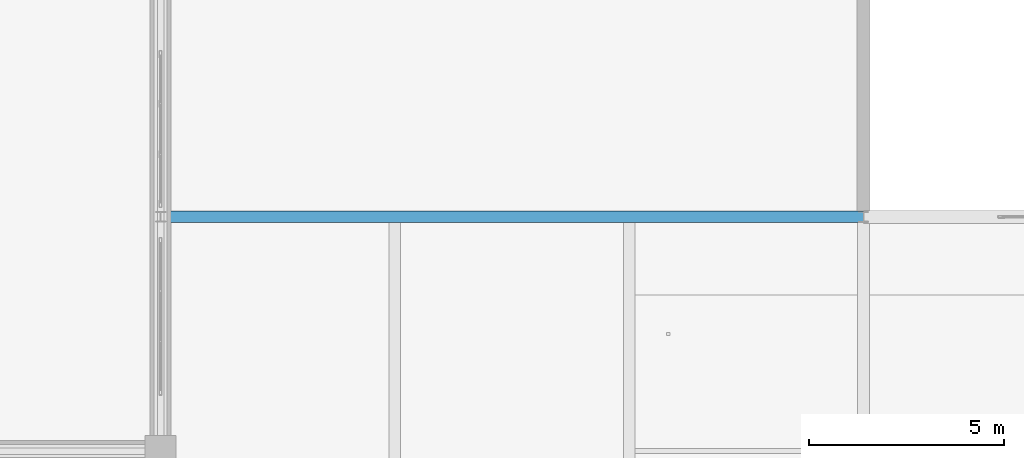
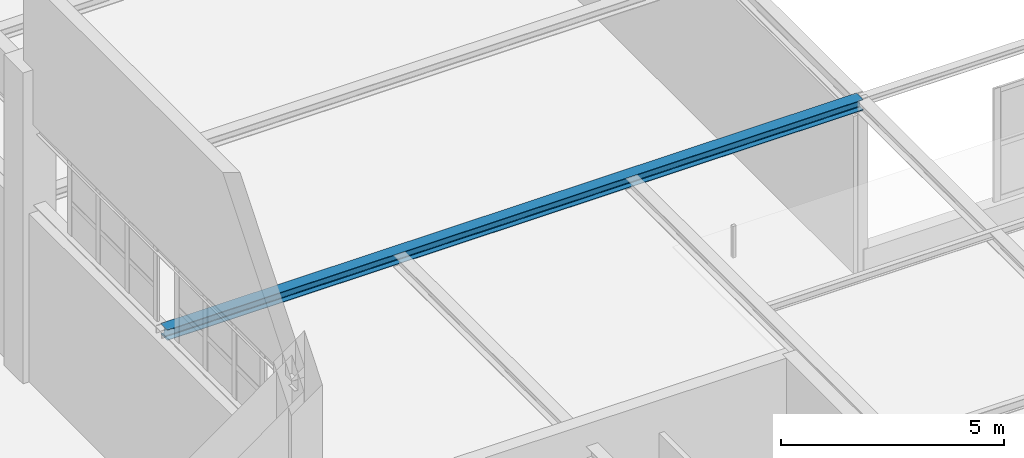
# One storey, part 25 of 97: 1 beam.
"""IFC4 building model written with IfcOpenShell, lengths in metres."""

from ifc_helpers import new_model, si_unit, derived_unit, direction, frame, origin, origin_2d, place, context, subcontext, project, spatial, i_section, extrude, material, material_profile, profile_set, type_object, element, save


model = new_model("IFC4")

# Units and contexts
model_context = context("Model", 3, precision=1e-05, world=origin(), true_north=direction((0.0, 1.0)))
body_context = subcontext(model_context, "Body", "Model", "MODEL_VIEW")
ifc_project = project(units=[si_unit("LENGTHUNIT", "METRE"), si_unit("AREAUNIT", "SQUARE_METRE"), si_unit("VOLUMEUNIT", "CUBIC_METRE"), si_unit("PLANEANGLEUNIT", "RADIAN"), si_unit("MASSUNIT", "GRAM", prefix="KILO"), derived_unit("THERMALTRANSMITTANCEUNIT", [(si_unit("POWERUNIT", "WATT"), 1), (si_unit("LENGTHUNIT", "METRE"), -2), (si_unit("THERMODYNAMICTEMPERATUREUNIT", "KELVIN"), -1)])], contexts=[model_context])

# Site, building, storey
site_placement = place(None, origin())
site = spatial("IfcSite", under=ifc_project, at=site_placement, CompositionType="ELEMENT")
building_placement = place(site_placement, origin())
building = spatial("IfcBuilding", under=site, at=building_placement, Name="Almenara Railside Exhibition Hall", CompositionType="ELEMENT")
storey_placement = place(building_placement, frame((0.0, 0.0, 10.800048828125)))
storey = spatial("IfcBuildingStorey", under=building, at=storey_placement, Name="L02", CompositionType="ELEMENT", Elevation=10.800048828125)

# Beam
ifc_material = material(Name="Structural steel S355JR", Category="steel")
ifc_material_profile = material_profile(ifc_material, i_section(OverallWidth=0.300048828125, OverallDepth=0.2900390625, WebThickness=0.008544921875, FlangeThickness=0.013916015625, FilletRadius=0.027099609375, at=origin_2d()), Name="HEA 300")
ifc_profile_set = profile_set([ifc_material_profile], Name="Structural steel S355JR")
beam_type = type_object("IfcBeamType", Name="Steel Concourse Tie Beam HEA 300 S355JR", PredefinedType="BEAM", material=ifc_profile_set)
beam_placement = place(storey_placement, frame((66.0, 54.0, 4.65087890625), z_axis=(1.0, 0.0, 0.0), x_axis=(0.0, 1.0, 0.0)))
element("IfcBeam", 1, at=beam_placement, inside=storey, type_object=beam_type, Name="Beam 0833", PredefinedType="BEAM", context=body_context, shape_type="SweptSolid", body=[
    extrude(i_section(OverallWidth=0.300048828125, OverallDepth=0.2900390625, WebThickness=0.008544921875, FlangeThickness=0.013916015625, FilletRadius=0.027099609375, at=origin_2d()), origin(), (0.0, 0.0, 1.0), 18.0),
])

save(model, "model.ifc")
